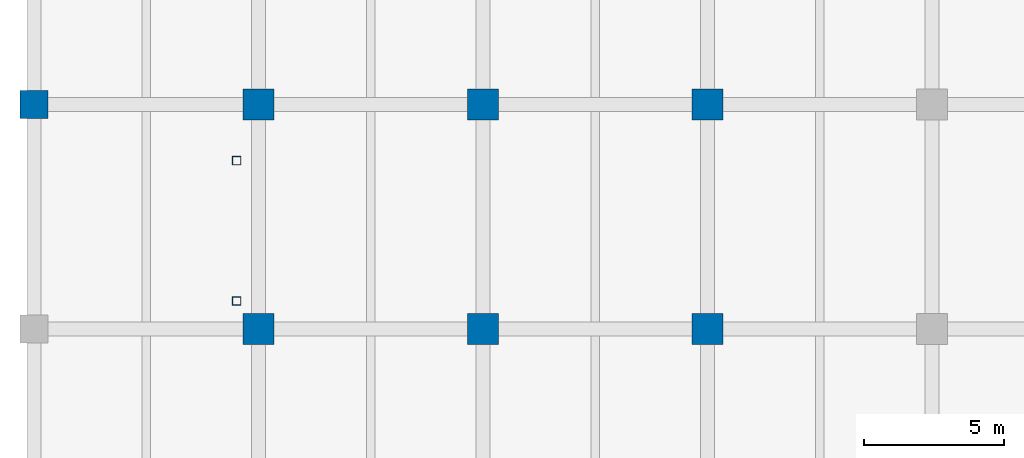
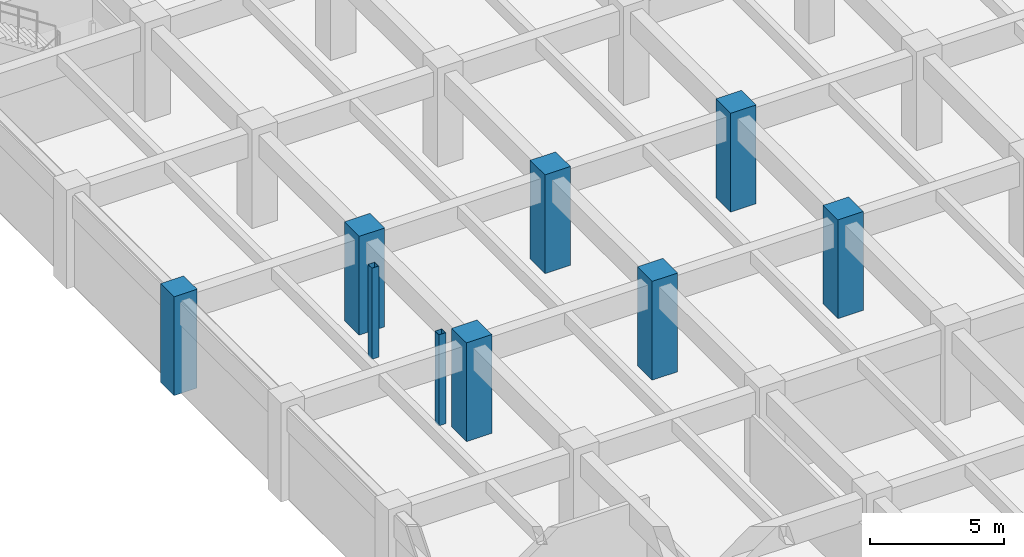
# One storey, part 4 of 16: 9 columns.
"""IFC4 building model written with IfcOpenShell, lengths in metres."""

from ifc_helpers import new_model, si_unit, direction, frame, origin, origin_2d, place, context, subcontext, project, spatial, rectangle, hollow_rectangle, extrude, material, material_profile, profile_set, type_object, element, save


model = new_model("IFC4")

# Units and contexts
model_context = context("Model", 3, precision=1e-05, world=origin(), true_north=direction((0.0, 1.0)))
body_context = subcontext(model_context, "Body", "Model", "MODEL_VIEW")
ifc_project = project(units=[si_unit("LENGTHUNIT", "METRE"), si_unit("AREAUNIT", "SQUARE_METRE"), si_unit("VOLUMEUNIT", "CUBIC_METRE"), si_unit("PLANEANGLEUNIT", "RADIAN"), si_unit("MASSUNIT", "GRAM", prefix="KILO")], contexts=[model_context])

# Site, building, storey
site_placement = place(None, origin())
site = spatial("IfcSite", under=ifc_project, at=site_placement, CompositionType="ELEMENT")
building_placement = place(site_placement, origin())
building = spatial("IfcBuilding", under=site, at=building_placement, Name="Canggui Botanical Conservatory", CompositionType="ELEMENT")
storey_placement = place(building_placement, frame((0.0, 0.0, -4.5)))
storey = spatial("IfcBuildingStorey", under=building, at=storey_placement, Name="B1", CompositionType="ELEMENT", Elevation=-4.5)

# Columns
ifc_material_1 = material(Name="Steel Q355C", Category="steel")
ifc_material_profile_1 = material_profile(ifc_material_1, hollow_rectangle(XDim=0.300048828125, YDim=0.300048828125, WallThickness=0.010009765625, at=origin_2d()), Name="SHS 300x300x10")
ifc_profile_set_1 = profile_set([ifc_material_profile_1], Name="Steel Q355C")
column_type_1 = type_object("IfcColumnType", Name="COL-GZ02", PredefinedType="COLUMN", material=ifc_profile_set_1)
for number, where, z_axis, x_axis, name in (
    (1, (129.219970703125, 75.0, 0.0), (0.0, 0.0, 1.0), (1.0, 0.0, 0.0), "SB-04 Corbel Support Pier B1-1"),
    (2, (129.219970703125, 80.0, 0.0), (0.0, 0.0, 1.0), (1.0, 0.0, 0.0), "SB-04 Corbel Support Pier B1-2"),
):
    element("IfcColumn", number, at=place(storey_placement, frame(where, z_axis=z_axis, x_axis=x_axis)), inside=storey, type_object=column_type_1, Name=name, PredefinedType="COLUMN", context=body_context, shape_type="SweptSolid", body=[
        extrude(hollow_rectangle(XDim=0.300048828125, YDim=0.300048828125, WallThickness=0.010009765625, at=origin_2d()), origin(), (0.0, 0.0, 1.0), 4.14990234375),
    ])
ifc_material_2 = material(Name="Concrete C50", Category="concrete")
ifc_material_profile_2 = material_profile(ifc_material_2, rectangle(XDim=1.10009765625, YDim=1.10009765625, at=origin_2d()), Name="RC 1100x1100")
ifc_profile_set_2 = profile_set([ifc_material_profile_2], Name="Concrete C50")
column_type_2 = type_object("IfcColumnType", Name="COL-KZ01", PredefinedType="COLUMN", material=ifc_profile_set_2)
for number, where, z_axis, x_axis, name in (
    (3, (130.0, 74.0, 0.0), (0.0, 0.0, 1.0), (1.0, 0.0, 0.0), "Tower RC Column B1 (130,74)"),
    (4, (130.0, 82.0, 0.0), (0.0, 0.0, 1.0), (1.0, 0.0, 0.0), "Tower RC Column B1 (130,82)"),
    (5, (138.0, 74.0, 0.0), (0.0, 0.0, 1.0), (1.0, 0.0, 0.0), "Tower RC Column B1 (138,74)"),
    (6, (138.0, 82.0, 0.0), (0.0, 0.0, 1.0), (1.0, 0.0, 0.0), "Tower RC Column B1 (138,82)"),
    (7, (146.0, 74.0, 0.0), (0.0, 0.0, 1.0), (1.0, 0.0, 0.0), "Tower RC Column B1 (146,74)"),
    (8, (146.0, 82.0, 0.0), (0.0, 0.0, 1.0), (1.0, 0.0, 0.0), "Tower RC Column B1 (146,82)"),
):
    element("IfcColumn", number, at=place(storey_placement, frame(where, z_axis=z_axis, x_axis=x_axis)), inside=storey, type_object=column_type_2, Name=name, PredefinedType="COLUMN", context=body_context, shape_type="SweptSolid", body=[
        extrude(rectangle(XDim=1.10009765625, YDim=1.10009765625, at=origin_2d()), origin(), (0.0, 0.0, 1.0), 4.5),
    ])
ifc_material_profile_3 = material_profile(ifc_material_2, rectangle(XDim=1.0, YDim=1.0, at=origin_2d()), Name="RC 1000x1000")
ifc_profile_set_3 = profile_set([ifc_material_profile_3], Name="Concrete C50")
column_type_3 = type_object("IfcColumnType", Name="COL-KZ03", PredefinedType="COLUMN", material=ifc_profile_set_3)
column_placement = place(storey_placement, frame((122.0, 82.0, 0.0), z_axis=(0.0, 0.0, 1.0), x_axis=(1.0, 0.0, 0.0)))
element("IfcColumn", 9, at=column_placement, inside=storey, type_object=column_type_3, Name="Tower RC Column B1 (122,82)", PredefinedType="COLUMN", context=body_context, shape_type="SweptSolid", body=[
    extrude(rectangle(XDim=1.0, YDim=1.0, at=origin_2d()), origin(), (0.0, 0.0, 1.0), 4.5),
])

save(model, "model.ifc")
